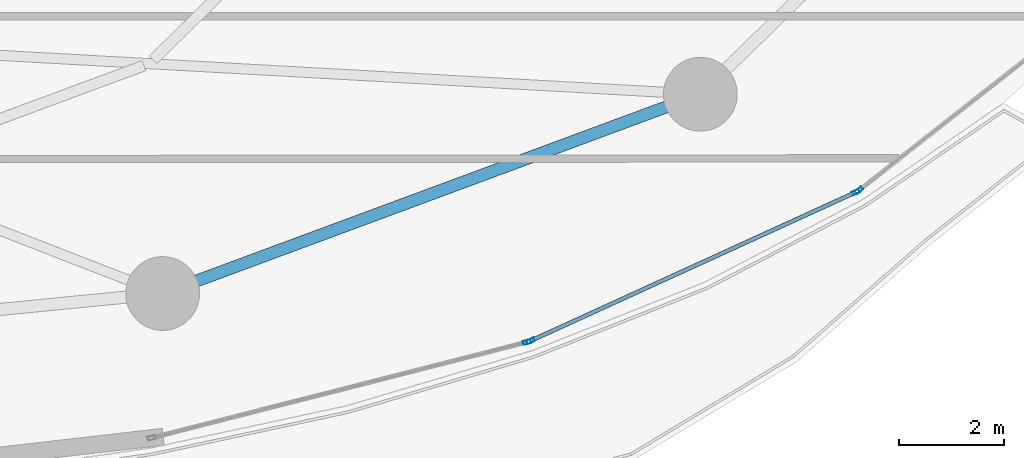
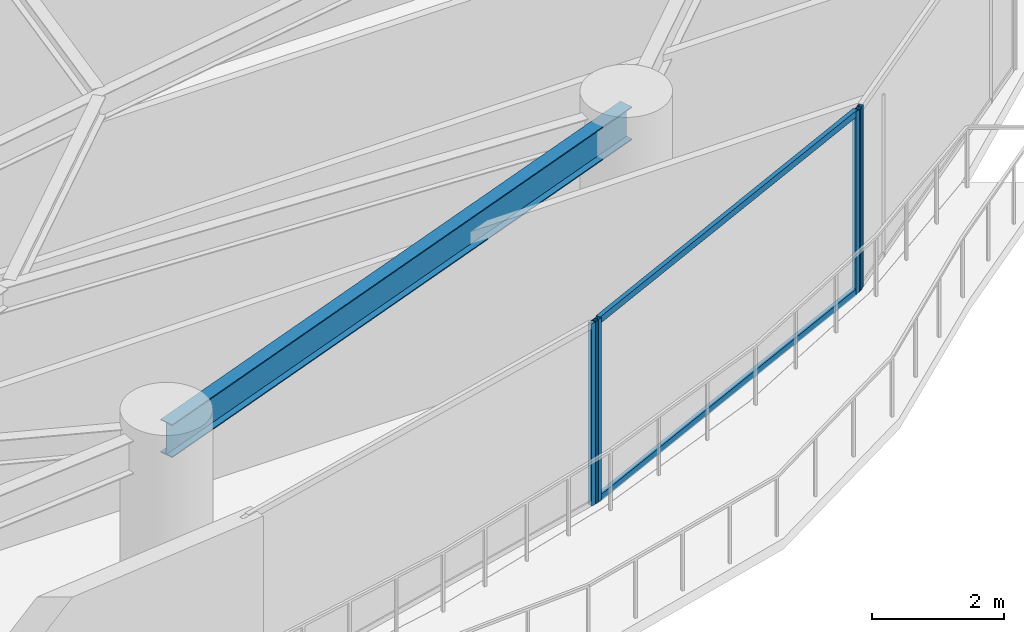
# One storey, part 13 of 32: 6 members, 1 beam, 3 elements without a shape of their own.
"""IFC4 building model written with IfcOpenShell, lengths in metres."""

from ifc_helpers import new_model, si_unit, direction, frame, origin, origin_2d, place, context, subcontext, project, spatial, hollow_rectangle, i_section, extrude, material, layer, layer_set, material_profile, profile_set, type_object, element, aggregate, save


model = new_model("IFC4")

# Units and contexts
model_context = context("Model", 3, precision=1e-05, world=origin(), true_north=direction((0.0, 1.0)))
body_context = subcontext(model_context, "Body", "Model", "MODEL_VIEW")
ifc_project = project(units=[si_unit("LENGTHUNIT", "METRE"), si_unit("AREAUNIT", "SQUARE_METRE"), si_unit("VOLUMEUNIT", "CUBIC_METRE"), si_unit("PLANEANGLEUNIT", "RADIAN"), si_unit("MASSUNIT", "GRAM", prefix="KILO")], contexts=[model_context])

# Site, building, storey
site_placement = place(None, origin())
site = spatial("IfcSite", under=ifc_project, at=site_placement, CompositionType="ELEMENT")
building_placement = place(site_placement, origin())
building = spatial("IfcBuilding", under=site, at=building_placement, Name="Kazevale Care Tower and Concert Hall", CompositionType="ELEMENT")
storey_placement = place(building_placement, frame((0.0, 0.0, 38.39990234375)))
storey = spatial("IfcBuildingStorey", under=building, at=storey_placement, Name="L09", CompositionType="ELEMENT", Elevation=38.39990234375)

# Curtain wall, member
ifc_material_1 = material(Name="Aluminium 6063-T6 and Low-E Glass", Category="aluminium")
ifc_layer = layer(ifc_material_1, 0.179931640625)
ifc_layer_set = layer_set([ifc_layer], Name="Aluminium 6063-T6 and Low-E Glass")
curtain_wall_type = type_object("IfcCurtainWallType", Name="Sheltered Concave Balcony Curtain Wall CW-5", PredefinedType="NOTDEFINED", material=ifc_layer_set)
curtain_wall_1_placement = place(storey_placement, origin())
curtain_wall_1 = element("IfcCurtainWall", 1, at=curtain_wall_1_placement, inside=storey, type_object=curtain_wall_type, Name="cw:L09:f02", PredefinedType="NOTDEFINED")
ifc_material_2 = material(Name="Aluminium 6063-T6", Category="aluminium")
ifc_material_profile_1 = material_profile(ifc_material_2, hollow_rectangle(XDim=0.074951171875, YDim=0.14990234375, WallThickness=0.00390625, at=origin_2d()), Name="ALU75x150x4")
ifc_profile_set_1 = profile_set([ifc_material_profile_1], Name="Aluminium 6063-T6")
member_type_1 = type_object("IfcMemberType", Name="CW-5 Mullion ALU75x150x4", PredefinedType="MULLION", material=ifc_profile_set_1)
member_1_placement = place(storey_placement, frame((70.25146484375, 20.490234375, 0.0), z_axis=(0.0, 0.0, 1.0), x_axis=(0.617807548814, -0.78632934107, 0.0)))
member_1 = element("IfcMember", 2, at=member_1_placement, type_object=member_type_1, Name="CW-5 mullion 2", PredefinedType="MULLION", context=body_context, shape_type="SweptSolid", body=[
    extrude(hollow_rectangle(XDim=0.074951171875, YDim=0.14990234375, WallThickness=0.00390625, at=origin_2d()), origin(), (0.0, 0.0, 1.0), 3.360107421875),
])
aggregate(curtain_wall_1, [member_1])

# Curtain wall, members
curtain_wall_2_placement = place(storey_placement, origin())
curtain_wall_2 = element("IfcCurtainWall", 3, at=curtain_wall_2_placement, inside=storey, type_object=curtain_wall_type, Name="cw:L09:f03", PredefinedType="NOTDEFINED")
member_2_placement = place(storey_placement, frame((70.18798828125, 20.451416015625, 0.0), z_axis=(0.0, 0.0, 1.0), x_axis=(0.415659767773, -0.909520179795, 0.0)))
member_2 = element("IfcMember", 4, at=member_2_placement, type_object=member_type_1, Name="CW-5 mullion 1", PredefinedType="MULLION", context=body_context, shape_type="SweptSolid", body=[
    extrude(hollow_rectangle(XDim=0.074951171875, YDim=0.14990234375, WallThickness=0.00390625, at=origin_2d()), origin(), (0.0, 0.0, 1.0), 3.360107421875),
])
member_3_placement = place(storey_placement, frame((64.022216796875, 17.633544921875, 0.0), z_axis=(0.0, 0.0, 1.0), x_axis=(0.415659767773, -0.909520179795, 0.0)))
member_3 = element("IfcMember", 5, at=member_3_placement, type_object=member_type_1, Name="CW-5 mullion 2", PredefinedType="MULLION", context=body_context, shape_type="SweptSolid", body=[
    extrude(hollow_rectangle(XDim=0.074951171875, YDim=0.14990234375, WallThickness=0.00390625, at=origin_2d()), origin(), (0.0, 0.0, 1.0), 3.360107421875),
])

# Curtain wall, member
curtain_wall_3_placement = place(storey_placement, origin())
curtain_wall_3 = element("IfcCurtainWall", 6, at=curtain_wall_3_placement, inside=storey, type_object=curtain_wall_type, Name="cw:L09:f04", PredefinedType="NOTDEFINED")
member_4_placement = place(storey_placement, frame((63.95166015625, 17.608642578125, 0.0), z_axis=(0.0, 0.0, 1.0), x_axis=(0.247221864936, -0.968958899798, 0.0)))
member_4 = element("IfcMember", 7, at=member_4_placement, type_object=member_type_1, Name="CW-5 mullion 1", PredefinedType="MULLION", context=body_context, shape_type="SweptSolid", body=[
    extrude(hollow_rectangle(XDim=0.074951171875, YDim=0.14990234375, WallThickness=0.00390625, at=origin_2d()), origin(), (0.0, 0.0, 1.0), 3.360107421875),
])
aggregate(curtain_wall_3, [member_4])

# Member
ifc_material_profile_2 = material_profile(ifc_material_2, hollow_rectangle(XDim=0.074951171875, YDim=0.1201171875, WallThickness=0.00390625, at=origin_2d()), Name="ALU75x120x4")
ifc_profile_set_2 = profile_set([ifc_material_profile_2], Name="Aluminium 6063-T6")
member_type_2 = type_object("IfcMemberType", Name="CW-5 Transom ALU75x120x4", PredefinedType="USERDEFINED", material=ifc_profile_set_2)
member_5_placement = place(storey_placement, frame((70.15380859375, 20.435791015625, 0.03759765625), z_axis=(-0.909524040017, -0.415651320978, 0.0), x_axis=(0.415651320978, -0.909524040017, 0.0)))
member_5 = element("IfcMember", 8, at=member_5_placement, type_object=member_type_2, Name="CW-5 transom 1.1", ObjectType="TRANSOM", PredefinedType="USERDEFINED", context=body_context, shape_type="SweptSolid", body=[
    extrude(hollow_rectangle(XDim=0.074951171875, YDim=0.1201171875, WallThickness=0.00390625, at=origin_2d()), origin(), (0.0, 0.0, 1.0), 6.704345703125),
])

member_6_placement = place(storey_placement, frame((70.15380859375, 20.435791015625, 3.322509765625), z_axis=(-0.909524040017, -0.415651320978, 0.0), x_axis=(0.415651320978, -0.909524040017, 0.0)))
member_6 = element("IfcMember", 9, at=member_6_placement, type_object=member_type_2, Name="CW-5 transom 1.2", ObjectType="TRANSOM", PredefinedType="USERDEFINED", context=body_context, shape_type="SweptSolid", body=[
    extrude(hollow_rectangle(XDim=0.074951171875, YDim=0.1201171875, WallThickness=0.00390625, at=origin_2d()), origin(), (0.0, 0.0, 1.0), 6.704345703125),
])

aggregate(curtain_wall_2, [member_2, member_3, member_5, member_6])

# Beam
ifc_material_3 = material(Name="Steel ASTM A572 Gr 50", Category="steel")
ifc_material_profile_3 = material_profile(ifc_material_3, i_section(OverallWidth=0.22900390625, OverallDepth=0.612060546875, WebThickness=0.011962890625, FlangeThickness=0.01953125, at=origin_2d()), Name="W610x125")
ifc_profile_set_3 = profile_set([ifc_material_profile_3], Name="Steel ASTM A572 Gr 50")
beam_type = type_object("IfcBeamType", Name="Ring Spandrel Beam W610x125", PredefinedType="SPANDREL", material=ifc_profile_set_3)
beam_placement = place(storey_placement, frame((57.0400390625, 18.530029296875, 3.05419921875), z_axis=(0.937680788596, 0.347497825458, 0.0), x_axis=(-0.347497825458, 0.937680788596, 0.0)))
element("IfcBeam", 10, at=beam_placement, inside=storey, type_object=beam_type, Name="beam:L09:ring:14", PredefinedType="SPANDREL", context=body_context, shape_type="SweptSolid", body=[
    extrude(i_section(OverallWidth=0.22900390625, OverallDepth=0.612060546875, WebThickness=0.011962890625, FlangeThickness=0.01953125, at=origin_2d()), origin(), (0.0, 0.0, 1.0), 10.8779296875),
])

save(model, "model.ifc")
